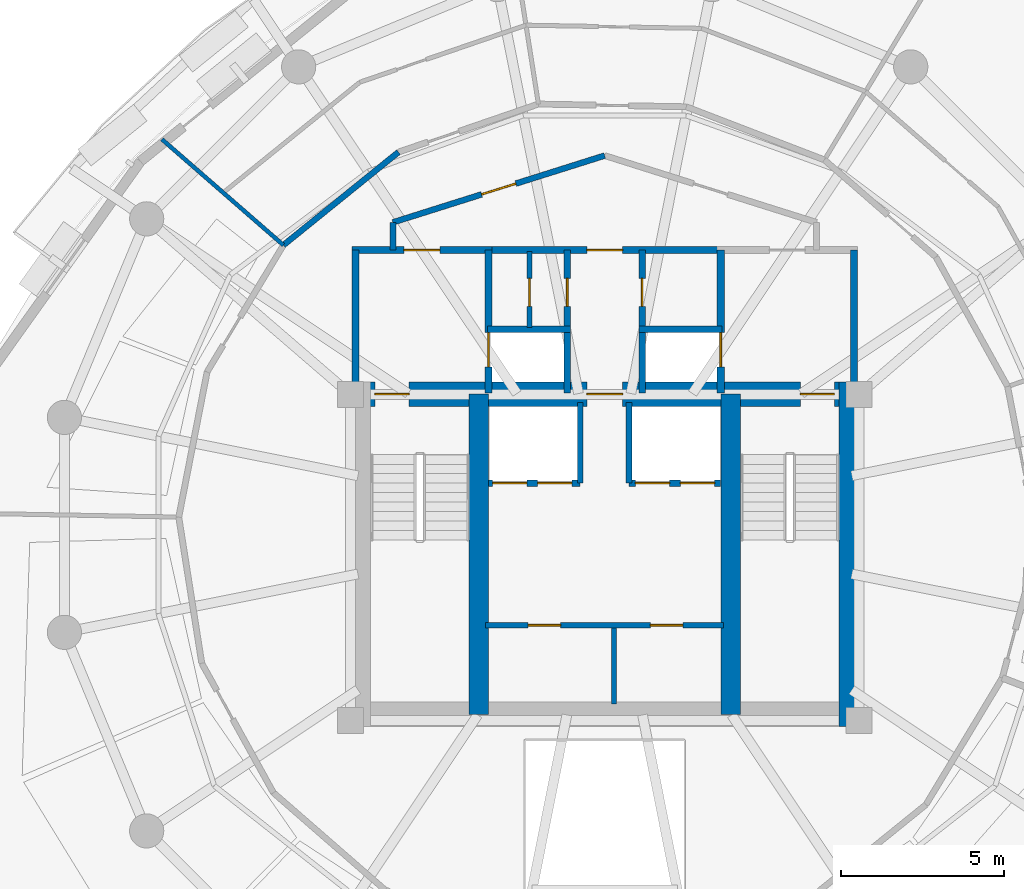
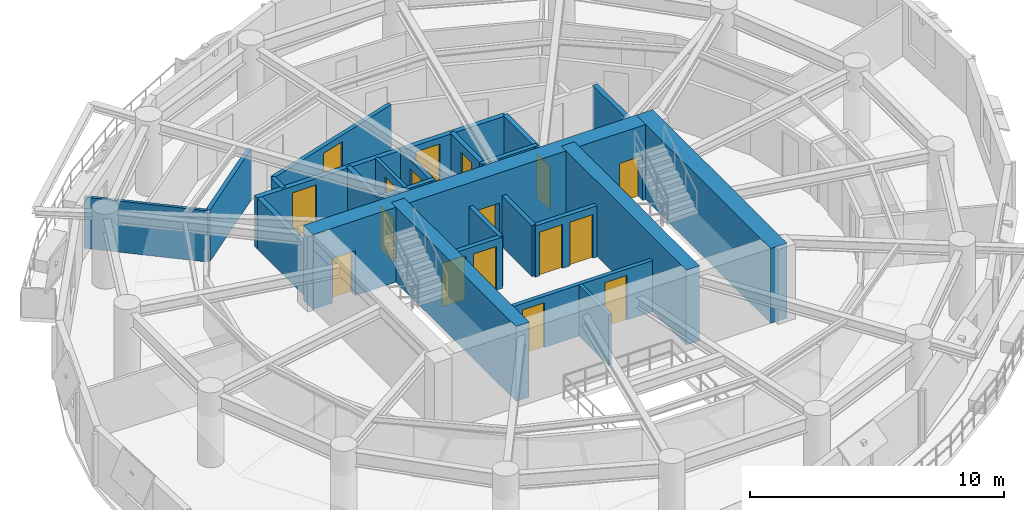
# One storey, part 8 of 12: 25 walls, 17 doors, 17 openings.
"""IFC4 building model written with IfcOpenShell, lengths in metres."""

from ifc_helpers import new_model, si_unit, direction, frame, frame_2d, origin, place, context, subcontext, project, spatial, rectangle, extrude, material, layer, layer_set, type_object, element, fill, save


model = new_model("IFC4")

# Units and contexts
model_context = context("Model", 3, precision=1e-05, world=origin(), true_north=direction((0.0, 1.0)))
body_context = subcontext(model_context, "Body", "Model", "MODEL_VIEW")
ifc_project = project(units=[si_unit("LENGTHUNIT", "METRE"), si_unit("AREAUNIT", "SQUARE_METRE"), si_unit("VOLUMEUNIT", "CUBIC_METRE"), si_unit("PLANEANGLEUNIT", "RADIAN"), si_unit("MASSUNIT", "GRAM", prefix="KILO"), si_unit("THERMODYNAMICTEMPERATUREUNIT", "KELVIN"), si_unit("POWERUNIT", "WATT")], contexts=[model_context])

# Site, building, storey
site_placement = place(None, origin())
site = spatial("IfcSite", under=ifc_project, at=site_placement, CompositionType="ELEMENT")
building_placement = place(site_placement, origin())
building = spatial("IfcBuilding", under=site, at=building_placement, Name="Ocrelia Relay Tower", CompositionType="ELEMENT")
storey_placement = place(building_placement, frame((0.0, 0.0, 195.199951171875)))
storey = spatial("IfcBuildingStorey", under=building, at=storey_placement, Name="L47", CompositionType="ELEMENT", Elevation=195.199951171875)

# Wall, openings, doors
ifc_material_1 = material(Name="Concrete C60/75", Category="concrete")
ifc_layer_1 = layer(ifc_material_1, 0.75, Name="Concrete C60/75")
ifc_layer_set_1 = layer_set([ifc_layer_1], Name="Concrete C60/75")
wall_type_1 = type_object("IfcWallType", Name="CW-CORE-750", PredefinedType="SHEAR", material=ifc_layer_set_1)
wall_1_placement = place(storey_placement, frame((26.072021484375, 30.012939453125, 0.0), z_axis=(0.0, 0.0, 1.0), x_axis=(1.0, 0.0, 0.0)))
wall_1 = element("IfcWall", 1, at=wall_1_placement, inside=storey, type_object=wall_type_1, Name="L47 Core Shear Wall N", PredefinedType="SHEAR", context=body_context, shape_type="SweptSolid", body=[
    extrude(rectangle(XDim=15.865966796875, YDim=0.75, at=frame_2d((7.93310546875, 0.0))), origin(), (0.0, 0.0, 1.0), 3.60009765625),
])
opening_1_placement = place(wall_1_placement, frame((0.8779296875, 0.0, 0.0)))
opening_1 = element("IfcOpeningElement", 2, at=opening_1_placement, cuts=wall_1, Name="Opening D-FD90", PredefinedType="OPENING", context=body_context, shape_type="SweptSolid", body=[
    extrude(rectangle(XDim=1.050048828125, YDim=2.14990234375, at=frame_2d((0.52490234375, 1.074951171875))), frame((0.0, 0.385009765625, 0.0), z_axis=(0.0, -1.0, 0.0), x_axis=(1.0, 0.0, 0.0)), (0.0, 0.0, 1.0), 0.77001953125),
])
opening_2_placement = place(wall_1_placement, frame((13.927978515625, 0.0, 0.0)))
opening_2 = element("IfcOpeningElement", 3, at=opening_2_placement, cuts=wall_1, Name="Opening D-FD90", PredefinedType="OPENING", context=body_context, shape_type="SweptSolid", body=[
    extrude(rectangle(XDim=1.050048828125, YDim=2.14990234375, at=frame_2d((0.52490234375, 1.074951171875))), frame((0.0, 0.385009765625, 0.0), z_axis=(0.0, -1.0, 0.0), x_axis=(1.0, 0.0, 0.0)), (0.0, 0.0, 1.0), 0.77001953125),
])
opening_3_placement = place(wall_1_placement, frame((7.3779296875, 0.0, 0.0)))
opening_3 = element("IfcOpeningElement", 4, at=opening_3_placement, cuts=wall_1, Name="Opening D-FD60", PredefinedType="OPENING", context=body_context, shape_type="SweptSolid", body=[
    extrude(rectangle(XDim=1.10009765625, YDim=2.14990234375, at=frame_2d((0.550048828125, 1.074951171875))), frame((0.0, 0.385009765625, 0.0), z_axis=(0.0, -1.0, 0.0), x_axis=(1.0, 0.0, 0.0)), (0.0, 0.0, 1.0), 0.77001953125),
])
ifc_material_2 = material(Name="Timber-core 60-min acoustic fire door", Category="wood")
door_type_1 = type_object("IfcDoorType", Name="DR-LOBBY-FD60-1100", OperationType="NOTDEFINED", PredefinedType="DOOR", material=ifc_material_2)
door_1_placement = place(opening_3_placement, origin())
door_1 = element("IfcDoor", 5, at=door_1_placement, inside=storey, type_object=door_type_1, Name="L47 Core Lift Lobby North Fire Door", OperationType="SINGLE_SWING_LEFT", OverallHeight=2.14990234375, OverallWidth=1.10009765625, PredefinedType="DOOR", context=body_context, shape_type="SweptSolid", body=[
    extrude(rectangle(XDim=1.10009765625, YDim=2.14990234375, at=frame_2d((0.550048828125, 1.074951171875))), frame((0.0, 0.02490234375, 0.0), z_axis=(0.0, -1.0, 0.0), x_axis=(1.0, 0.0, 0.0)), (0.0, 0.0, 1.0), 0.050048828125),
])
fill(opening_3, door_1)
ifc_material_3 = material(Name="Steel S355 90-min fire door", Category="steel")
door_type_2 = type_object("IfcDoorType", Name="DR-STAIR-FD90-1050", OperationType="NOTDEFINED", PredefinedType="DOOR", material=ifc_material_3)
door_2_placement = place(opening_1_placement, origin())
door_2 = element("IfcDoor", 6, at=door_2_placement, inside=storey, type_object=door_type_2, Name="L47 Stair ST1 Fire Door", OperationType="SINGLE_SWING_LEFT", OverallHeight=2.14990234375, OverallWidth=1.050048828125, PredefinedType="DOOR", context=body_context, shape_type="SweptSolid", body=[
    extrude(rectangle(XDim=1.050048828125, YDim=2.14990234375, at=frame_2d((0.52490234375, 1.074951171875))), frame((0.0, 0.02490234375, 0.0), z_axis=(0.0, -1.0, 0.0), x_axis=(1.0, 0.0, 0.0)), (0.0, 0.0, 1.0), 0.050048828125),
])
fill(opening_1, door_2)
door_3_placement = place(opening_2_placement, origin())
door_3 = element("IfcDoor", 7, at=door_3_placement, inside=storey, type_object=door_type_2, Name="L47 Stair ST2 Fire Door", OperationType="SINGLE_SWING_RIGHT", OverallHeight=2.14990234375, OverallWidth=1.050048828125, PredefinedType="DOOR", context=body_context, shape_type="SweptSolid", body=[
    extrude(rectangle(XDim=1.050048828125, YDim=2.14990234375, at=frame_2d((0.52490234375, 1.074951171875))), frame((0.0, 0.02490234375, 0.0), z_axis=(0.0, -1.0, 0.0), x_axis=(1.0, 0.0, 0.0)), (0.0, 0.0, 1.0), 0.050048828125),
])
fill(opening_2, door_3)

# Walls
wall_2_placement = place(storey_placement, frame((41.56298828125, 19.81201171875, 0.0), z_axis=(0.0, 0.0, 1.0), x_axis=(0.0, 1.0, 0.0)))
element("IfcWall", 8, at=wall_2_placement, inside=storey, type_object=wall_type_1, Name="L47 Core Shear Wall E", PredefinedType="SHEAR", context=body_context, shape_type="SweptSolid", body=[
    extrude(rectangle(XDim=10.575927734375, YDim=0.75, at=frame_2d((5.2880859375, 0.0))), origin(), (0.0, 0.0, 1.0), 3.60009765625),
])
for number, where, z_axis, x_axis, name in (
    (9, (30.137939453125, 20.18701171875, 0.0), (0.0, 0.0, 1.0), (0.0, 1.0, 0.0), "L47 Core Shear Wall SPW"),
    (10, (37.8720703125, 20.18701171875, 0.0), (0.0, 0.0, 1.0), (0.0, 1.0, 0.0), "L47 Core Shear Wall SPE"),
):
    element("IfcWall", number, at=place(storey_placement, frame(where, z_axis=z_axis, x_axis=x_axis)), inside=storey, type_object=wall_type_1, Name=name, PredefinedType="SHEAR", context=body_context, shape_type="SweptSolid", body=[
        extrude(rectangle(XDim=9.825927734375, YDim=0.60009765625, at=frame_2d((4.9130859375, 0.0))), origin(), (0.0, 0.0, 1.0), 3.60009765625),
    ])

# Wall, openings, doors
ifc_material_4 = material(Name="Gypsum Fireboard Partition EI60", Category="gypsum")
ifc_layer_2 = layer(ifc_material_4, 0.179931640625, Name="Gypsum Fireboard Partition EI60")
ifc_layer_set_2 = layer_set([ifc_layer_2], Name="Gypsum Fireboard Partition EI60")
wall_type_2 = type_object("IfcWallType", Name="W-CORR-EI60-180", PredefinedType="PARTITIONING", material=ifc_layer_set_2)
wall_3_placement = place(storey_placement, frame((30.35009765625, 22.919921875, 0.0), z_axis=(0.0, 0.0, 1.0), x_axis=(1.0, 0.0, 0.0)))
wall_3 = element("IfcWall", 11, at=wall_3_placement, inside=storey, type_object=wall_type_2, Name="L47 Reclaimed Core Room Partition", PredefinedType="PARTITIONING", context=body_context, shape_type="SweptSolid", body=[
    extrude(rectangle(XDim=7.2998046875, YDim=0.179931640625, at=frame_2d((3.64990234375, 0.0))), origin(), (0.0, 0.0, 1.0), 2.4599609375),
])
opening_4_placement = place(wall_3_placement, frame((1.300048828125, 0.0, 0.0)))
opening_4 = element("IfcOpeningElement", 12, at=opening_4_placement, cuts=wall_3, Name="Opening D-RM100", PredefinedType="OPENING", context=body_context, shape_type="SweptSolid", body=[
    extrude(rectangle(XDim=1.0, YDim=2.14990234375, at=frame_2d((0.5, 1.074951171875))), frame((0.0, 0.10009765625, 0.0), z_axis=(0.0, -1.0, 0.0), x_axis=(1.0, 0.0, 0.0)), (0.0, 0.0, 1.0), 0.199951171875),
])
opening_5_placement = place(wall_3_placement, frame((5.050048828125, 0.0, 0.0)))
opening_5 = element("IfcOpeningElement", 13, at=opening_5_placement, cuts=wall_3, Name="Opening D-RM100", PredefinedType="OPENING", context=body_context, shape_type="SweptSolid", body=[
    extrude(rectangle(XDim=1.0, YDim=2.14990234375, at=frame_2d((0.5, 1.074951171875))), frame((0.0, 0.10009765625, 0.0), z_axis=(0.0, -1.0, 0.0), x_axis=(1.0, 0.0, 0.0)), (0.0, 0.0, 1.0), 0.199951171875),
])
ifc_material_5 = material(Name="Acoustic oak veneer fire door", Category="wood")
door_type_3 = type_object("IfcDoorType", Name="DR-ROOM-FD60-1000", OperationType="NOTDEFINED", PredefinedType="DOOR", material=ifc_material_5)
door_4_placement = place(opening_4_placement, origin())
door_4 = element("IfcDoor", 14, at=door_4_placement, inside=storey, type_object=door_type_3, Name="L47 Reclaimed Core Room 1 Door", OperationType="SINGLE_SWING_RIGHT", OverallHeight=2.14990234375, OverallWidth=1.0, PredefinedType="DOOR", context=body_context, shape_type="SweptSolid", body=[
    extrude(rectangle(XDim=1.0, YDim=2.14990234375, at=frame_2d((0.5, 1.074951171875))), frame((0.0, 0.02490234375, 0.0), z_axis=(0.0, -1.0, 0.0), x_axis=(1.0, 0.0, 0.0)), (0.0, 0.0, 1.0), 0.050048828125),
])
fill(opening_4, door_4)
door_5_placement = place(opening_5_placement, origin())
door_5 = element("IfcDoor", 15, at=door_5_placement, inside=storey, type_object=door_type_3, Name="L47 Reclaimed Core Room 2 Door", OperationType="SINGLE_SWING_LEFT", OverallHeight=2.14990234375, OverallWidth=1.0, PredefinedType="DOOR", context=body_context, shape_type="SweptSolid", body=[
    extrude(rectangle(XDim=1.0, YDim=2.14990234375, at=frame_2d((0.5, 1.074951171875))), frame((0.0, 0.02490234375, 0.0), z_axis=(0.0, -1.0, 0.0), x_axis=(1.0, 0.0, 0.0)), (0.0, 0.0, 1.0), 0.050048828125),
])
fill(opening_5, door_5)

# Wall
wall_4_placement = place(storey_placement, frame((27.5, 34.429931640625, 0.0), z_axis=(0.0, 0.0, 1.0), x_axis=(0.0, 1.0, 0.0)))
element("IfcWall", 16, at=wall_4_placement, inside=storey, type_object=wall_type_2, Name="L47 Smoke Lobby West Return", PredefinedType="PARTITIONING", context=body_context, shape_type="SweptSolid", body=[
    extrude(rectangle(XDim=0.85009765625, YDim=0.179931640625, at=frame_2d((0.425048828125, 0.0))), origin(), (0.0, 0.0, 1.0), 2.4599609375),
])

# Wall, opening, door
wall_5_placement = place(storey_placement, frame((27.5, 35.280029296875, 0.0), z_axis=(0.0, 0.0, 1.0), x_axis=(0.953691418528, 0.300786765376, 0.0)))
wall_5 = element("IfcWall", 17, at=wall_5_placement, inside=storey, type_object=wall_type_2, Name="L47 North Smoke Lobby W Screen Wall", PredefinedType="PARTITIONING", context=body_context, shape_type="SweptSolid", body=[
    extrude(rectangle(XDim=6.815673828125, YDim=0.179931640625, at=frame_2d((3.40771484375, 0.0))), origin(), (0.0, 0.0, 1.0), 2.4599609375),
])
opening_6_placement = place(wall_5_placement, frame((2.85791015625, 0.0, 0.0)))
opening_6 = element("IfcOpeningElement", 18, at=opening_6_placement, cuts=wall_5, Name="Opening D-FD60", PredefinedType="OPENING", context=body_context, shape_type="SweptSolid", body=[
    extrude(rectangle(XDim=1.10009765625, YDim=2.14990234375, at=frame_2d((0.550048828125, 1.074951171875))), frame((0.0, 0.10009765625, 0.0), z_axis=(0.0, -1.0, 0.0), x_axis=(1.0, 0.0, 0.0)), (0.0, 0.0, 1.0), 0.199951171875),
])
door_6_placement = place(opening_6_placement, origin())
door_6 = element("IfcDoor", 19, at=door_6_placement, inside=storey, type_object=door_type_1, Name="L47 North Smoke Lobby W Fire Door", OperationType="SINGLE_SWING_RIGHT", OverallHeight=2.14990234375, OverallWidth=1.10009765625, PredefinedType="DOOR", context=body_context, shape_type="SweptSolid", body=[
    extrude(rectangle(XDim=1.10009765625, YDim=2.14990234375, at=frame_2d((0.550048828125, 1.074951171875))), frame((0.0, 0.02490234375, 0.0), z_axis=(0.0, -1.0, 0.0), x_axis=(1.0, 0.0, 0.0)), (0.0, 0.0, 1.0), 0.050048828125),
])
fill(opening_6, door_6)

# Walls
wall_6_placement = place(storey_placement, frame((27.673583984375, 37.436767578125, 0.0), z_axis=(0.0, 0.0, 1.0), x_axis=(-0.777710585506, -0.62862249816, 0.0)))
element("IfcWall", 20, at=wall_6_placement, inside=storey, type_object=wall_type_2, Name="L47 Routing Office D Corridor Partition 2", PredefinedType="PARTITIONING", context=body_context, shape_type="SweptSolid", body=[
    extrude(rectangle(XDim=4.539306640625, YDim=0.179931640625, at=frame_2d((2.26953125, 0.0))), origin(), (0.0, 0.0, 1.0), 2.4599609375),
])
ifc_material_6 = material(Name="Concrete C50/60", Category="concrete")
ifc_layer_3 = layer(ifc_material_6, 0.219970703125, Name="Concrete C50/60")
ifc_layer_set_3 = layer_set([ifc_layer_3], Name="Concrete C50/60")
wall_type_3 = type_object("IfcWallType", Name="W-FFL-EI120-220", PredefinedType="SOLIDWALL", material=ifc_layer_set_3)
wall_7_placement = place(storey_placement, frame((26.35009765625, 30.050048828125, 0.0), z_axis=(0.0, 0.0, 1.0), x_axis=(0.0, 1.0, 0.0)))
element("IfcWall", 21, at=wall_7_placement, inside=storey, type_object=wall_type_3, Name="L47 W Fire Service Lift Lobby West Wall", PredefinedType="SOLIDWALL", context=body_context, shape_type="SweptSolid", body=[
    extrude(rectangle(XDim=4.3798828125, YDim=0.219970703125, at=frame_2d((2.18994140625, 0.0))), origin(), (0.0, 0.0, 1.0), 2.4599609375),
])

# Wall, opening, door
wall_8_placement = place(storey_placement, frame((30.43994140625, 30.050048828125, 0.0), z_axis=(0.0, 0.0, 1.0), x_axis=(0.0, 1.0, 0.0)))
wall_8 = element("IfcWall", 22, at=wall_8_placement, inside=storey, type_object=wall_type_3, Name="L47 W Fire Service Lift Lobby East Wall", PredefinedType="SOLIDWALL", context=body_context, shape_type="SweptSolid", body=[
    extrude(rectangle(XDim=4.3798828125, YDim=0.219970703125, at=frame_2d((2.18994140625, 0.0))), origin(), (0.0, 0.0, 1.0), 2.4599609375),
])
opening_7_placement = place(wall_8_placement, frame((0.800048828125, 0.0, 0.0)))
opening_7 = element("IfcOpeningElement", 23, at=opening_7_placement, cuts=wall_8, Name="Opening LD-FFL1", PredefinedType="OPENING", context=body_context, shape_type="SweptSolid", body=[
    extrude(rectangle(XDim=1.050048828125, YDim=2.10009765625, at=frame_2d((0.52490234375, 1.050048828125))), frame((0.0, 0.1201171875, 0.0), z_axis=(0.0, -1.0, 0.0), x_axis=(1.0, 0.0, 0.0)), (0.0, 0.0, 1.0), 0.239990234375),
])
ifc_material_7 = material(Name="Brushed stainless steel S355 lift landing door", Category="steel")
door_type_4 = type_object("IfcDoorType", Name="DR-LIFT-LAND-1050", OperationType="DOUBLE_DOOR_SLIDING", PredefinedType="USERDEFINED", material=ifc_material_7)
door_7_placement = place(opening_7_placement, origin())
door_7 = element("IfcDoor", 24, at=door_7_placement, inside=storey, type_object=door_type_4, Name="L47 Firefighting Lift FFL1 Sliding Landing Door", ObjectType="LANDING DOOR", OperationType="DOUBLE_DOOR_SLIDING", OverallHeight=2.10009765625, OverallWidth=1.050048828125, PredefinedType="USERDEFINED", context=body_context, shape_type="SweptSolid", body=[
    extrude(rectangle(XDim=1.050048828125, YDim=2.10009765625, at=frame_2d((0.52490234375, 1.050048828125))), frame((0.0, 0.02490234375, 0.0), z_axis=(0.0, -1.0, 0.0), x_axis=(1.0, 0.0, 0.0)), (0.0, 0.0, 1.0), 0.050048828125),
])
fill(opening_7, door_7)

wall_9_placement = place(storey_placement, frame((26.239990234375, 34.429931640625, 0.0), z_axis=(0.0, 0.0, 1.0), x_axis=(1.0, 0.0, 0.0)))
wall_9 = element("IfcWall", 25, at=wall_9_placement, inside=storey, type_object=wall_type_3, Name="L47 W Fire Service Lift Lobby North Wall", PredefinedType="SOLIDWALL", context=body_context, shape_type="SweptSolid", body=[
    extrude(rectangle(XDim=4.31005859375, YDim=0.219970703125, at=frame_2d((2.155029296875, 0.0))), origin(), (0.0, 0.0, 1.0), 2.4599609375),
])
opening_8_placement = place(wall_9_placement, frame((1.60009765625, 0.0, 0.0)))
opening_8 = element("IfcOpeningElement", 26, at=opening_8_placement, cuts=wall_9, Name="Opening D-FD60", PredefinedType="OPENING", context=body_context, shape_type="SweptSolid", body=[
    extrude(rectangle(XDim=1.10009765625, YDim=2.14990234375, at=frame_2d((0.550048828125, 1.074951171875))), frame((0.0, 0.1201171875, 0.0), z_axis=(0.0, -1.0, 0.0), x_axis=(1.0, 0.0, 0.0)), (0.0, 0.0, 1.0), 0.239990234375),
])
door_8_placement = place(opening_8_placement, origin())
door_8 = element("IfcDoor", 27, at=door_8_placement, inside=storey, type_object=door_type_1, Name="L47 W Fire Service Lift Lobby Exit Door", OperationType="SINGLE_SWING_RIGHT", OverallHeight=2.14990234375, OverallWidth=1.10009765625, PredefinedType="DOOR", context=body_context, shape_type="SweptSolid", body=[
    extrude(rectangle(XDim=1.10009765625, YDim=2.14990234375, at=frame_2d((0.550048828125, 1.074951171875))), frame((0.0, 0.02490234375, 0.0), z_axis=(0.0, -1.0, 0.0), x_axis=(1.0, 0.0, 0.0)), (0.0, 0.0, 1.0), 0.050048828125),
])
fill(opening_8, door_8)

wall_10_placement = place(storey_placement, frame((37.56005859375, 30.050048828125, 0.0), z_axis=(0.0, 0.0, 1.0), x_axis=(0.0, 1.0, 0.0)))
wall_10 = element("IfcWall", 28, at=wall_10_placement, inside=storey, type_object=wall_type_3, Name="L47 E Fire Service Lift Lobby West Wall", PredefinedType="SOLIDWALL", context=body_context, shape_type="SweptSolid", body=[
    extrude(rectangle(XDim=4.3798828125, YDim=0.219970703125, at=frame_2d((2.18994140625, 0.0))), origin(), (0.0, 0.0, 1.0), 2.4599609375),
])
opening_9_placement = place(wall_10_placement, frame((0.800048828125, 0.0, 0.0)))
opening_9 = element("IfcOpeningElement", 29, at=opening_9_placement, cuts=wall_10, Name="Opening LD-FFL2", PredefinedType="OPENING", context=body_context, shape_type="SweptSolid", body=[
    extrude(rectangle(XDim=1.050048828125, YDim=2.10009765625, at=frame_2d((0.52490234375, 1.050048828125))), frame((0.0, 0.1201171875, 0.0), z_axis=(0.0, -1.0, 0.0), x_axis=(1.0, 0.0, 0.0)), (0.0, 0.0, 1.0), 0.239990234375),
])
door_9_placement = place(opening_9_placement, origin())
door_9 = element("IfcDoor", 30, at=door_9_placement, inside=storey, type_object=door_type_4, Name="L47 Firefighting Lift FFL2 Sliding Landing Door", ObjectType="LANDING DOOR", OperationType="DOUBLE_DOOR_SLIDING", OverallHeight=2.10009765625, OverallWidth=1.050048828125, PredefinedType="USERDEFINED", context=body_context, shape_type="SweptSolid", body=[
    extrude(rectangle(XDim=1.050048828125, YDim=2.10009765625, at=frame_2d((0.52490234375, 1.050048828125))), frame((0.0, 0.02490234375, 0.0), z_axis=(0.0, -1.0, 0.0), x_axis=(1.0, 0.0, 0.0)), (0.0, 0.0, 1.0), 0.050048828125),
])
fill(opening_9, door_9)

# Wall
wall_11_placement = place(storey_placement, frame((41.64990234375, 30.050048828125, 0.0), z_axis=(0.0, 0.0, 1.0), x_axis=(0.0, 1.0, 0.0)))
element("IfcWall", 31, at=wall_11_placement, inside=storey, type_object=wall_type_3, Name="L47 E Fire Service Lift Lobby East Wall", PredefinedType="SOLIDWALL", context=body_context, shape_type="SweptSolid", body=[
    extrude(rectangle(XDim=4.3798828125, YDim=0.219970703125, at=frame_2d((2.18994140625, 0.0))), origin(), (0.0, 0.0, 1.0), 2.4599609375),
])

# Wall, opening, door
wall_12_placement = place(storey_placement, frame((30.43994140625, 34.429931640625, 0.0), z_axis=(0.0, 0.0, 1.0), x_axis=(1.0, 0.0, 0.0)))
wall_12 = element("IfcWall", 32, at=wall_12_placement, inside=storey, type_object=wall_type_3, Name="L47 North Core Vestibule Wall", PredefinedType="SOLIDWALL", context=body_context, shape_type="SweptSolid", body=[
    extrude(rectangle(XDim=7.1201171875, YDim=0.219970703125, at=frame_2d((3.56005859375, 0.0))), origin(), (0.0, 0.0, 1.0), 2.4599609375),
])
opening_10_placement = place(wall_12_placement, frame((3.010009765625, 0.0, 0.0)))
opening_10 = element("IfcOpeningElement", 33, at=opening_10_placement, cuts=wall_12, Name="Opening D-FD60", PredefinedType="OPENING", context=body_context, shape_type="SweptSolid", body=[
    extrude(rectangle(XDim=1.10009765625, YDim=2.14990234375, at=frame_2d((0.550048828125, 1.074951171875))), frame((0.0, 0.1201171875, 0.0), z_axis=(0.0, -1.0, 0.0), x_axis=(1.0, 0.0, 0.0)), (0.0, 0.0, 1.0), 0.239990234375),
])
door_10_placement = place(opening_10_placement, origin())
door_10 = element("IfcDoor", 34, at=door_10_placement, inside=storey, type_object=door_type_1, Name="L47 North Core Vestibule Corridor Door", OperationType="SINGLE_SWING_RIGHT", OverallHeight=2.14990234375, OverallWidth=1.10009765625, PredefinedType="DOOR", context=body_context, shape_type="SweptSolid", body=[
    extrude(rectangle(XDim=1.10009765625, YDim=2.14990234375, at=frame_2d((0.550048828125, 1.074951171875))), frame((0.0, 0.02490234375, 0.0), z_axis=(0.0, -1.0, 0.0), x_axis=(1.0, 0.0, 0.0)), (0.0, 0.0, 1.0), 0.050048828125),
])
fill(opening_10, door_10)

# Wall
ifc_material_8 = material(Name="Acoustic Fireboard Partition EI60", Category="gypsum")
ifc_layer_4 = layer(ifc_material_8, 0.125, Name="Acoustic Fireboard Partition EI60")
ifc_layer_set_4 = layer_set([ifc_layer_4], Name="Acoustic Fireboard Partition EI60")
wall_type_4 = type_object("IfcWallType", Name="W-PART-125", PredefinedType="PARTITIONING", material=ifc_layer_set_4)
wall_13_placement = place(storey_placement, frame((24.143310546875, 34.583251953125, 0.0), z_axis=(0.0, 0.0, 1.0), x_axis=(-0.754104479033, 0.656754470638, 0.0)))
element("IfcWall", 35, at=wall_13_placement, inside=storey, type_object=wall_type_4, Name="L47 Routing Office D Radial Partition", PredefinedType="PARTITIONING", context=body_context, shape_type="SweptSolid", body=[
    extrude(rectangle(XDim=4.943115234375, YDim=0.125, at=frame_2d((2.4716796875, 0.0))), origin(), (0.0, 0.0, 1.0), 2.4599609375),
])

# Wall, opening, door
ifc_layer_5 = layer(ifc_material_8, 0.14990234375, Name="Acoustic Fireboard Partition EI60")
ifc_layer_set_5 = layer_set([ifc_layer_5], Name="Acoustic Fireboard Partition EI60")
wall_type_5 = type_object("IfcWallType", Name="W-PART-150", PredefinedType="PARTITIONING", material=ifc_layer_set_5)
wall_14_placement = place(storey_placement, frame((31.68994140625, 32.050048828125, 0.0), z_axis=(0.0, 0.0, 1.0), x_axis=(0.0, 1.0, 0.0)))
wall_14 = element("IfcWall", 36, at=wall_14_placement, inside=storey, type_object=wall_type_5, Name="L47 West Core Support Partition", PredefinedType="PARTITIONING", context=body_context, shape_type="SweptSolid", body=[
    extrude(rectangle(XDim=2.329833984375, YDim=0.14990234375, at=frame_2d((1.1650390625, 0.0))), origin(), (0.0, 0.0, 1.0), 2.4599609375),
])
opening_11_placement = place(wall_14_placement, frame((0.64990234375, 0.0, 0.0)))
opening_11 = element("IfcOpeningElement", 37, at=opening_11_placement, cuts=wall_14, Name="Opening D-RS86", PredefinedType="OPENING", context=body_context, shape_type="SweptSolid", body=[
    extrude(rectangle(XDim=0.860107421875, YDim=2.050048828125, at=frame_2d((0.43017578125, 1.02490234375))), frame((0.0, 0.0849609375, 0.0), z_axis=(0.0, -1.0, 0.0), x_axis=(1.0, 0.0, 0.0)), (0.0, 0.0, 1.0), 0.169921875),
])
ifc_material_9 = material(Name="Steel S355 riser access fire door", Category="steel")
door_type_5 = type_object("IfcDoorType", Name="DR-RISER-TRAP-860", OperationType="NOTDEFINED", PredefinedType="TRAPDOOR", material=ifc_material_9)
door_11_placement = place(opening_11_placement, origin())
door_11 = element("IfcDoor", 38, at=door_11_placement, inside=storey, type_object=door_type_5, Name="L47 West Core Store Connecting Door", OperationType="SINGLE_SWING_LEFT", OverallHeight=2.050048828125, OverallWidth=0.860107421875, PredefinedType="TRAPDOOR", context=body_context, shape_type="SweptSolid", body=[
    extrude(rectangle(XDim=0.860107421875, YDim=2.050048828125, at=frame_2d((0.43017578125, 1.02490234375))), frame((0.0, 0.02490234375, 0.0), z_axis=(0.0, -1.0, 0.0), x_axis=(1.0, 0.0, 0.0)), (0.0, 0.0, 1.0), 0.050048828125),
])
fill(opening_11, door_11)

# Walls
wall_15_placement = place(storey_placement, frame((34.2900390625, 20.5, 0.0), z_axis=(0.0, 0.0, 1.0), x_axis=(0.0, 1.0, 0.0)))
element("IfcWall", 39, at=wall_15_placement, inside=storey, type_object=wall_type_5, Name="L47 Reclaimed Core Dividing Wall", PredefinedType="PARTITIONING", context=body_context, shape_type="SweptSolid", body=[
    extrude(rectangle(XDim=2.340087890625, YDim=0.14990234375, at=frame_2d((1.169921875, 0.0))), origin(), (0.0, 0.0, 1.0), 2.4599609375),
])
ifc_layer_6 = layer(ifc_material_6, 0.199951171875, Name="Concrete C50/60")
ifc_layer_set_6 = layer_set([ifc_layer_6], Name="Concrete C50/60")
wall_type_6 = type_object("IfcWallType", Name="W-SHAFT-EI120-200", PredefinedType="SOLIDWALL", material=ifc_layer_set_6)
wall_16_placement = place(storey_placement, frame((30.39990234375, 32.0, 0.0), z_axis=(0.0, 0.0, 1.0), x_axis=(1.0, 0.0, 0.0)))
element("IfcWall", 40, at=wall_16_placement, inside=storey, type_object=wall_type_6, Name="L47 FFL1 Hoistway North Wall", PredefinedType="SOLIDWALL", context=body_context, shape_type="SweptSolid", body=[
    extrude(rectangle(XDim=2.550048828125, YDim=0.199951171875, at=frame_2d((1.27490234375, 0.0))), origin(), (0.0, 0.0, 1.0), 2.4599609375),
])

# Wall, opening, door
wall_17_placement = place(storey_placement, frame((32.85009765625, 30.050048828125, 0.0), z_axis=(0.0, 0.0, 1.0), x_axis=(0.0, 1.0, 0.0)))
wall_17 = element("IfcWall", 41, at=wall_17_placement, inside=storey, type_object=wall_type_6, Name="L47 FFL1 and Service Vestibule Wall", PredefinedType="SOLIDWALL", context=body_context, shape_type="SweptSolid", body=[
    extrude(rectangle(XDim=4.3798828125, YDim=0.199951171875, at=frame_2d((2.18994140625, 0.0))), origin(), (0.0, 0.0, 1.0), 2.4599609375),
])
opening_12_placement = place(wall_17_placement, frame((2.64990234375, 0.0, 0.0)))
opening_12 = element("IfcOpeningElement", 42, at=opening_12_placement, cuts=wall_17, Name="Opening D-RS86", PredefinedType="OPENING", context=body_context, shape_type="SweptSolid", body=[
    extrude(rectangle(XDim=0.860107421875, YDim=2.050048828125, at=frame_2d((0.43017578125, 1.02490234375))), frame((0.0, 0.10986328125, 0.0), z_axis=(0.0, -1.0, 0.0), x_axis=(1.0, 0.0, 0.0)), (0.0, 0.0, 1.0), 0.219970703125),
])
door_12_placement = place(opening_12_placement, origin())
door_12 = element("IfcDoor", 43, at=door_12_placement, inside=storey, type_object=door_type_5, Name="L47 Core Support Room W Door", OperationType="SINGLE_SWING_LEFT", OverallHeight=2.050048828125, OverallWidth=0.860107421875, PredefinedType="TRAPDOOR", context=body_context, shape_type="SweptSolid", body=[
    extrude(rectangle(XDim=0.860107421875, YDim=2.050048828125, at=frame_2d((0.43017578125, 1.02490234375))), frame((0.0, 0.02490234375, 0.0), z_axis=(0.0, -1.0, 0.0), x_axis=(1.0, 0.0, 0.0)), (0.0, 0.0, 1.0), 0.050048828125),
])
fill(opening_12, door_12)

# Wall
wall_18_placement = place(storey_placement, frame((35.050048828125, 32.0, 0.0), z_axis=(0.0, 0.0, 1.0), x_axis=(1.0, 0.0, 0.0)))
element("IfcWall", 44, at=wall_18_placement, inside=storey, type_object=wall_type_6, Name="L47 FFL2 Hoistway North Wall", PredefinedType="SOLIDWALL", context=body_context, shape_type="SweptSolid", body=[
    extrude(rectangle(XDim=2.550048828125, YDim=0.199951171875, at=frame_2d((1.27490234375, 0.0))), origin(), (0.0, 0.0, 1.0), 2.4599609375),
])

# Wall, opening, door
wall_19_placement = place(storey_placement, frame((35.14990234375, 30.050048828125, 0.0), z_axis=(0.0, 0.0, 1.0), x_axis=(0.0, 1.0, 0.0)))
wall_19 = element("IfcWall", 45, at=wall_19_placement, inside=storey, type_object=wall_type_6, Name="L47 FFL2 and Service Vestibule Wall", PredefinedType="SOLIDWALL", context=body_context, shape_type="SweptSolid", body=[
    extrude(rectangle(XDim=4.3798828125, YDim=0.199951171875, at=frame_2d((2.18994140625, 0.0))), origin(), (0.0, 0.0, 1.0), 2.4599609375),
])
opening_13_placement = place(wall_19_placement, frame((2.64990234375, 0.0, 0.0)))
opening_13 = element("IfcOpeningElement", 46, at=opening_13_placement, cuts=wall_19, Name="Opening D-RS86", PredefinedType="OPENING", context=body_context, shape_type="SweptSolid", body=[
    extrude(rectangle(XDim=0.860107421875, YDim=2.050048828125, at=frame_2d((0.43017578125, 1.02490234375))), frame((0.0, 0.10986328125, 0.0), z_axis=(0.0, -1.0, 0.0), x_axis=(1.0, 0.0, 0.0)), (0.0, 0.0, 1.0), 0.219970703125),
])
door_13_placement = place(opening_13_placement, origin())
door_13 = element("IfcDoor", 47, at=door_13_placement, inside=storey, type_object=door_type_5, Name="L47 Core Support Room E Door", OperationType="SINGLE_SWING_LEFT", OverallHeight=2.050048828125, OverallWidth=0.860107421875, PredefinedType="TRAPDOOR", context=body_context, shape_type="SweptSolid", body=[
    extrude(rectangle(XDim=0.860107421875, YDim=2.050048828125, at=frame_2d((0.43017578125, 1.02490234375))), frame((0.0, 0.02490234375, 0.0), z_axis=(0.0, -1.0, 0.0), x_axis=(1.0, 0.0, 0.0)), (0.0, 0.0, 1.0), 0.050048828125),
])
fill(opening_13, door_13)

# Wall, openings, doors
wall_20_placement = place(storey_placement, frame((30.43994140625, 27.280029296875, 0.0), z_axis=(0.0, 0.0, 1.0), x_axis=(1.0, 0.0, 0.0)))
wall_20 = element("IfcWall", 48, at=wall_20_placement, inside=storey, type_object=wall_type_6, Name="L47 High-Rise Lift Hoistway Wall W", PredefinedType="SOLIDWALL", context=body_context, shape_type="SweptSolid", body=[
    extrude(rectangle(XDim=2.81005859375, YDim=0.199951171875, at=frame_2d((1.405029296875, 0.0))), origin(), (0.0, 0.0, 1.0), 2.4599609375),
])
opening_14_placement = place(wall_20_placement, frame((0.1201171875, 0.0, 0.0)))
opening_14 = element("IfcOpeningElement", 49, at=opening_14_placement, cuts=wall_20, Name="Opening LD-PL5", PredefinedType="OPENING", context=body_context, shape_type="SweptSolid", body=[
    extrude(rectangle(XDim=1.050048828125, YDim=2.10009765625, at=frame_2d((0.52490234375, 1.050048828125))), frame((0.0, 0.10986328125, 0.0), z_axis=(0.0, -1.0, 0.0), x_axis=(1.0, 0.0, 0.0)), (0.0, 0.0, 1.0), 0.219970703125),
])
opening_15_placement = place(wall_20_placement, frame((1.5, 0.0, 0.0)))
opening_15 = element("IfcOpeningElement", 50, at=opening_15_placement, cuts=wall_20, Name="Opening LD-PL6", PredefinedType="OPENING", context=body_context, shape_type="SweptSolid", body=[
    extrude(rectangle(XDim=1.050048828125, YDim=2.10009765625, at=frame_2d((0.52490234375, 1.050048828125))), frame((0.0, 0.10986328125, 0.0), z_axis=(0.0, -1.0, 0.0), x_axis=(1.0, 0.0, 0.0)), (0.0, 0.0, 1.0), 0.219970703125),
])
door_14_placement = place(opening_14_placement, origin())
door_14 = element("IfcDoor", 51, at=door_14_placement, inside=storey, type_object=door_type_4, Name="L47 High-Rise Lift PL5 Sliding Landing Door", ObjectType="LANDING DOOR", OperationType="DOUBLE_DOOR_SLIDING", OverallHeight=2.10009765625, OverallWidth=1.050048828125, PredefinedType="USERDEFINED", context=body_context, shape_type="SweptSolid", body=[
    extrude(rectangle(XDim=1.050048828125, YDim=2.10009765625, at=frame_2d((0.52490234375, 1.050048828125))), frame((0.0, 0.02490234375, 0.0), z_axis=(0.0, -1.0, 0.0), x_axis=(1.0, 0.0, 0.0)), (0.0, 0.0, 1.0), 0.050048828125),
])
fill(opening_14, door_14)
door_15_placement = place(opening_15_placement, origin())
door_15 = element("IfcDoor", 52, at=door_15_placement, inside=storey, type_object=door_type_4, Name="L47 High-Rise Lift PL6 Sliding Landing Door", ObjectType="LANDING DOOR", OperationType="DOUBLE_DOOR_SLIDING", OverallHeight=2.10009765625, OverallWidth=1.050048828125, PredefinedType="USERDEFINED", context=body_context, shape_type="SweptSolid", body=[
    extrude(rectangle(XDim=1.050048828125, YDim=2.10009765625, at=frame_2d((0.52490234375, 1.050048828125))), frame((0.0, 0.02490234375, 0.0), z_axis=(0.0, -1.0, 0.0), x_axis=(1.0, 0.0, 0.0)), (0.0, 0.0, 1.0), 0.050048828125),
])
fill(opening_15, door_15)

# Wall
wall_21_placement = place(storey_placement, frame((33.25, 27.280029296875, 0.0), z_axis=(0.0, 0.0, 1.0), x_axis=(0.0, 1.0, 0.0)))
element("IfcWall", 53, at=wall_21_placement, inside=storey, type_object=wall_type_6, Name="L47 High-Rise Lift Throat Wall W", PredefinedType="SOLIDWALL", context=body_context, shape_type="SweptSolid", body=[
    extrude(rectangle(XDim=2.469970703125, YDim=0.179931640625, at=frame_2d((1.23486328125, 0.0))), origin(), (0.0, 0.0, 1.0), 2.4599609375),
])

# Wall, openings, doors
wall_22_placement = place(storey_placement, frame((34.75, 27.280029296875, 0.0), z_axis=(0.0, 0.0, 1.0), x_axis=(1.0, 0.0, 0.0)))
wall_22 = element("IfcWall", 54, at=wall_22_placement, inside=storey, type_object=wall_type_6, Name="L47 High-Rise Lift Hoistway Wall E", PredefinedType="SOLIDWALL", context=body_context, shape_type="SweptSolid", body=[
    extrude(rectangle(XDim=2.81005859375, YDim=0.199951171875, at=frame_2d((1.405029296875, 0.0))), origin(), (0.0, 0.0, 1.0), 2.4599609375),
])
opening_16_placement = place(wall_22_placement, frame((0.18994140625, 0.0, 0.0)))
opening_16 = element("IfcOpeningElement", 55, at=opening_16_placement, cuts=wall_22, Name="Opening LD-PL7", PredefinedType="OPENING", context=body_context, shape_type="SweptSolid", body=[
    extrude(rectangle(XDim=1.050048828125, YDim=2.10009765625, at=frame_2d((0.52490234375, 1.050048828125))), frame((0.0, 0.10986328125, 0.0), z_axis=(0.0, -1.0, 0.0), x_axis=(1.0, 0.0, 0.0)), (0.0, 0.0, 1.0), 0.219970703125),
])
opening_17_placement = place(wall_22_placement, frame((1.570068359375, 0.0, 0.0)))
opening_17 = element("IfcOpeningElement", 56, at=opening_17_placement, cuts=wall_22, Name="Opening LD-PL8", PredefinedType="OPENING", context=body_context, shape_type="SweptSolid", body=[
    extrude(rectangle(XDim=1.050048828125, YDim=2.10009765625, at=frame_2d((0.52490234375, 1.050048828125))), frame((0.0, 0.10986328125, 0.0), z_axis=(0.0, -1.0, 0.0), x_axis=(1.0, 0.0, 0.0)), (0.0, 0.0, 1.0), 0.219970703125),
])
door_16_placement = place(opening_16_placement, origin())
door_16 = element("IfcDoor", 57, at=door_16_placement, inside=storey, type_object=door_type_4, Name="L47 High-Rise Lift PL7 Sliding Landing Door", ObjectType="LANDING DOOR", OperationType="DOUBLE_DOOR_SLIDING", OverallHeight=2.10009765625, OverallWidth=1.050048828125, PredefinedType="USERDEFINED", context=body_context, shape_type="SweptSolid", body=[
    extrude(rectangle(XDim=1.050048828125, YDim=2.10009765625, at=frame_2d((0.52490234375, 1.050048828125))), frame((0.0, 0.02490234375, 0.0), z_axis=(0.0, -1.0, 0.0), x_axis=(1.0, 0.0, 0.0)), (0.0, 0.0, 1.0), 0.050048828125),
])
fill(opening_16, door_16)
door_17_placement = place(opening_17_placement, origin())
door_17 = element("IfcDoor", 58, at=door_17_placement, inside=storey, type_object=door_type_4, Name="L47 High-Rise Lift PL8 Sliding Landing Door", ObjectType="LANDING DOOR", OperationType="DOUBLE_DOOR_SLIDING", OverallHeight=2.10009765625, OverallWidth=1.050048828125, PredefinedType="USERDEFINED", context=body_context, shape_type="SweptSolid", body=[
    extrude(rectangle(XDim=1.050048828125, YDim=2.10009765625, at=frame_2d((0.52490234375, 1.050048828125))), frame((0.0, 0.02490234375, 0.0), z_axis=(0.0, -1.0, 0.0), x_axis=(1.0, 0.0, 0.0)), (0.0, 0.0, 1.0), 0.050048828125),
])
fill(opening_17, door_17)

# Wall
wall_23_placement = place(storey_placement, frame((34.75, 27.280029296875, 0.0), z_axis=(0.0, 0.0, 1.0), x_axis=(0.0, 1.0, 0.0)))
element("IfcWall", 59, at=wall_23_placement, inside=storey, type_object=wall_type_6, Name="L47 High-Rise Lift Throat Wall E", PredefinedType="SOLIDWALL", context=body_context, shape_type="SweptSolid", body=[
    extrude(rectangle(XDim=2.469970703125, YDim=0.179931640625, at=frame_2d((1.23486328125, 0.0))), origin(), (0.0, 0.0, 1.0), 2.4599609375),
])

save(model, "model.ifc")
